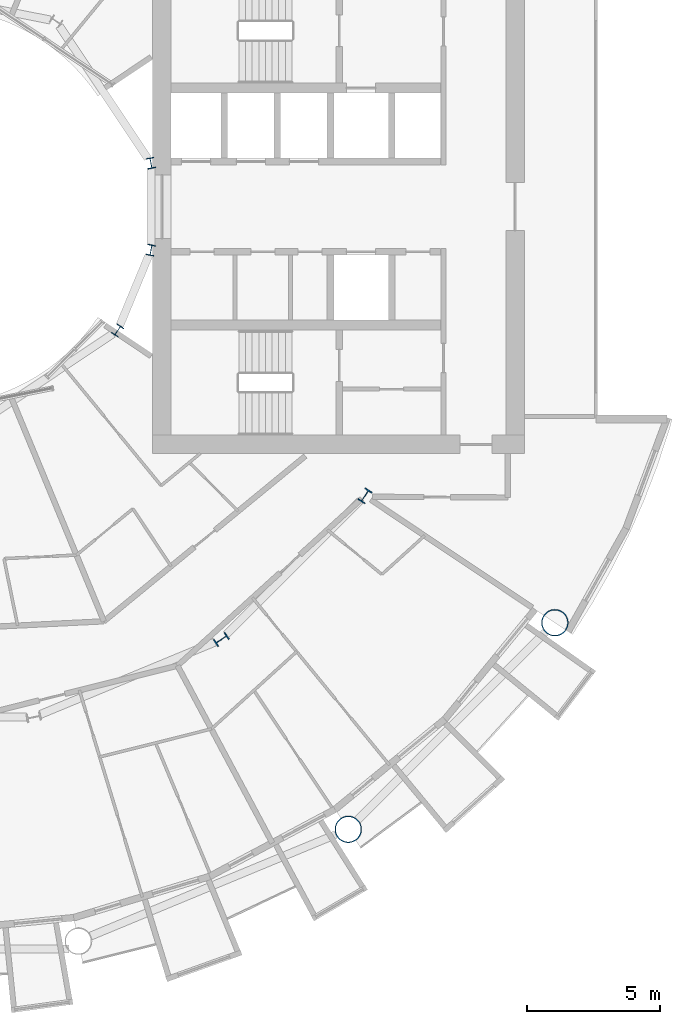
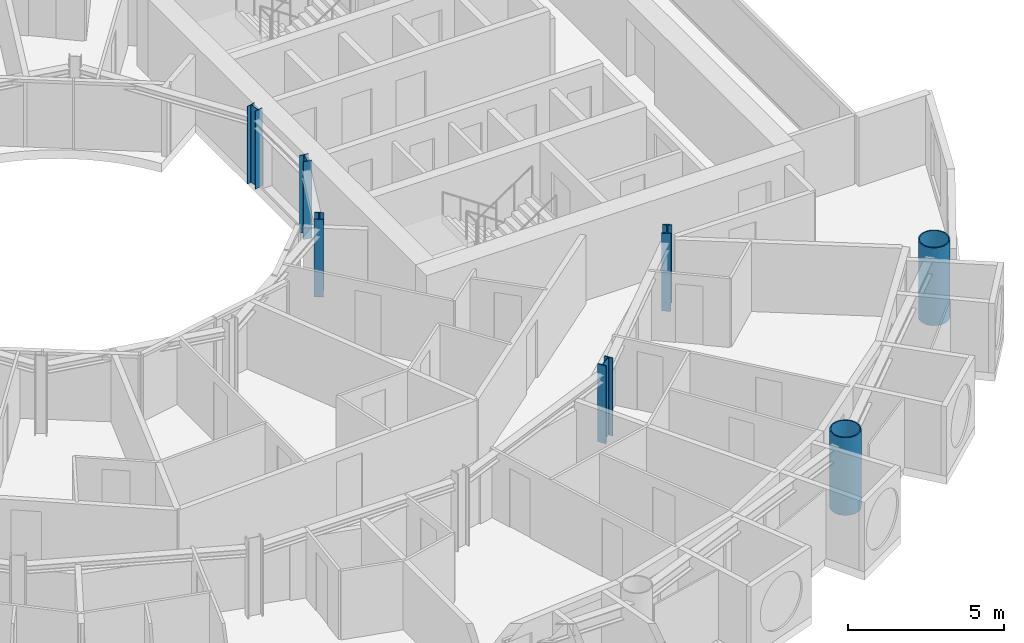
# One storey, part 2 of 26: 7 columns.
"""IFC4 building model written with IfcOpenShell, lengths in metres."""

from ifc_helpers import new_model, si_unit, direction, frame, origin, origin_2d, place, context, subcontext, project, spatial, hollow_circle, i_section, extrude, material, material_profile, profile_set, type_object, element, save


model = new_model("IFC4")

# Units and contexts
model_context = context("Model", 3, precision=1e-05, world=origin(), true_north=direction((0.0, 1.0)))
body_context = subcontext(model_context, "Body", "Model", "MODEL_VIEW")
ifc_project = project(units=[si_unit("LENGTHUNIT", "METRE"), si_unit("AREAUNIT", "SQUARE_METRE"), si_unit("VOLUMEUNIT", "CUBIC_METRE"), si_unit("PLANEANGLEUNIT", "RADIAN"), si_unit("MASSUNIT", "GRAM", prefix="KILO")], contexts=[model_context])

# Site, building, storey
site_placement = place(None, origin())
site = spatial("IfcSite", under=ifc_project, at=site_placement, CompositionType="ELEMENT")
building_placement = place(site_placement, origin())
building = spatial("IfcBuilding", under=site, at=building_placement, Name="Maasbend Ring Residences", CompositionType="ELEMENT")
storey_placement = place(building_placement, frame((0.0, 0.0, 81.89990234375)))
storey = spatial("IfcBuildingStorey", under=building, at=storey_placement, Name="L23", CompositionType="ELEMENT", Elevation=81.89990234375)

# Columns
ifc_material_1 = material(Name="Composite concrete-filled steel tube S460NH / C80/95", Category="concrete")
ifc_material_profile_1 = material_profile(ifc_material_1, hollow_circle(Radius=0.508056640625, WallThickness=0.0400390625, at=origin_2d()), Name="Composite tube column CHS 1016x40")
ifc_profile_set_1 = profile_set([ifc_material_profile_1], Name="Composite concrete-filled steel tube S460NH / C80/95")
column_type_1 = type_object("IfcColumnType", Name="Composite tube column CHS 1016x40", PredefinedType="COLUMN", material=ifc_profile_set_1)
for number, where, z_axis, x_axis, name in (
    (1, (15.6669921875, -23.447509765625, 0.0), (0.0, 0.0, 1.0), (1.0, 0.0, 0.0), "Outer column R14"),
    (2, (23.447509765625, -15.6669921875, 0.0), (0.0, 0.0, 1.0), (1.0, 0.0, 0.0), "Outer column R15"),
):
    element("IfcColumn", number, at=place(storey_placement, frame(where, z_axis=z_axis, x_axis=x_axis)), inside=storey, type_object=column_type_1, Name=name, PredefinedType="COLUMN", context=body_context, shape_type="SweptSolid", body=[
        extrude(hollow_circle(Radius=0.508056640625, WallThickness=0.0400390625, at=origin_2d()), origin(), (0.0, 0.0, 1.0), 3.050048828125),
    ])
ifc_material_2 = material(Name="Steel S355J2", Category="steel")
ifc_material_profile_2 = material_profile(ifc_material_2, i_section(OverallWidth=0.300048828125, OverallDepth=0.39990234375, WebThickness=0.013427734375, FlangeThickness=0.02392578125, FilletRadius=0.027099609375, at=origin_2d()), Name="HEB 400")
ifc_profile_set_2 = profile_set([ifc_material_profile_2], Name="Steel S355J2")
column_type_2 = type_object("IfcColumnType", Name="Steel column HEB 400", PredefinedType="COLUMN", material=ifc_profile_set_2)
for number, where, z_axis, x_axis, name in (
    (3, (8.238525390625, 1.638916015625, 0.0), (0.0, 0.0, 1.0), (0.980785280403, 0.195090322016, 0.0), "Well ring column R1"),
    (4, (6.984375, -4.666748046875, 0.0), (0.0, 0.0, 1.0), (0.831469612303, -0.55557023302, 0.0), "Well ring column R15"),
    (5, (8.238525390625, -1.638916015625, 0.0), (0.0, 0.0, 1.0), (0.980785280403, -0.195090322016, 0.0), "Well ring column R16"),
):
    element("IfcColumn", number, at=place(storey_placement, frame(where, z_axis=z_axis, x_axis=x_axis)), inside=storey, type_object=column_type_2, Name=name, PredefinedType="COLUMN", context=body_context, shape_type="SweptSolid", body=[
        extrude(i_section(OverallWidth=0.300048828125, OverallDepth=0.39990234375, WebThickness=0.013427734375, FlangeThickness=0.02392578125, FilletRadius=0.027099609375, at=origin_2d()), origin(), (0.0, 0.0, 1.0), 3.050048828125),
    ])
ifc_material_3 = material(Name="Steel S460M", Category="steel")
ifc_material_profile_3 = material_profile(ifc_material_3, i_section(OverallWidth=0.305908203125, OverallDepth=0.52392578125, WebThickness=0.02099609375, FlangeThickness=0.0400390625, FilletRadius=0.027099609375, at=origin_2d()), Name="HEM 500")
ifc_profile_set_3 = profile_set([ifc_material_profile_3], Name="Steel S460M")
column_type_3 = type_object("IfcColumnType", Name="Steel column HEM 500", PredefinedType="COLUMN", material=ifc_profile_set_3)
for number, where, z_axis, x_axis, name in (
    (6, (10.88916015625, -16.296875, 0.0), (0.0, 0.0, 1.0), (0.55557023302, -0.831469612303, 0.0), "Corridor ring column R14"),
    (7, (16.296875, -10.88916015625, 0.0), (0.0, 0.0, 1.0), (0.831469612303, -0.55557023302, 0.0), "Corridor ring column R15"),
):
    element("IfcColumn", number, at=place(storey_placement, frame(where, z_axis=z_axis, x_axis=x_axis)), inside=storey, type_object=column_type_3, Name=name, PredefinedType="COLUMN", context=body_context, shape_type="SweptSolid", body=[
        extrude(i_section(OverallWidth=0.305908203125, OverallDepth=0.52392578125, WebThickness=0.02099609375, FlangeThickness=0.0400390625, FilletRadius=0.027099609375, at=origin_2d()), origin(), (0.0, 0.0, 1.0), 3.050048828125),
    ])

save(model, "model.ifc")
